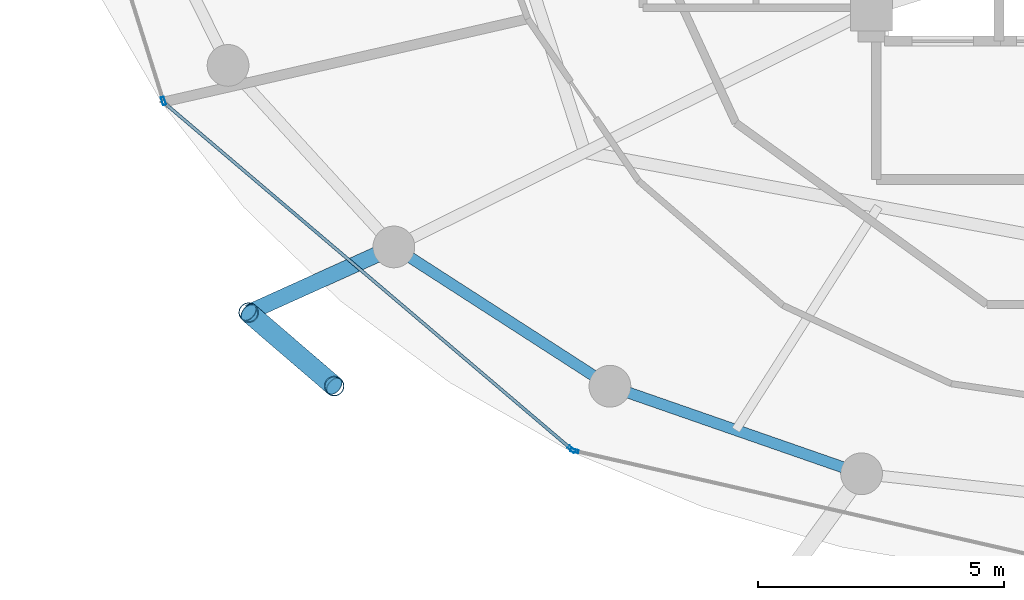
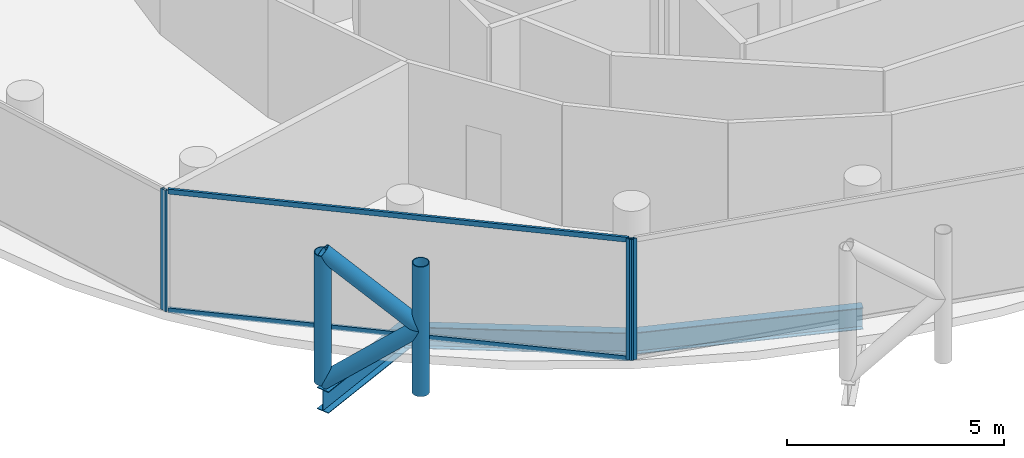
# One storey, part 2 of 27: 9 members, 3 beams, 3 elements without a shape of their own.
"""IFC4 building model written with IfcOpenShell, lengths in metres."""

from ifc_helpers import new_model, si_unit, direction, frame, origin, origin_2d, place, context, subcontext, project, spatial, hollow_rectangle, hollow_circle, i_section, extrude, material, layer, layer_set, material_profile, profile_set, type_object, element, aggregate, save


model = new_model("IFC4")

# Units and contexts
model_context = context("Model", 3, precision=1e-05, world=origin(), true_north=direction((0.0, 1.0)))
body_context = subcontext(model_context, "Body", "Model", "MODEL_VIEW")
ifc_project = project(units=[si_unit("LENGTHUNIT", "METRE"), si_unit("AREAUNIT", "SQUARE_METRE"), si_unit("VOLUMEUNIT", "CUBIC_METRE"), si_unit("PLANEANGLEUNIT", "RADIAN"), si_unit("MASSUNIT", "GRAM", prefix="KILO")], contexts=[model_context])

# Site, building, storey
site_placement = place(None, origin())
site = spatial("IfcSite", under=ifc_project, at=site_placement, CompositionType="ELEMENT")
building_placement = place(site_placement, origin())
building = spatial("IfcBuilding", under=site, at=building_placement, Name="Nuhasar Tower", CompositionType="ELEMENT")
storey_placement = place(building_placement, frame((0.0, 0.0, 208.14990234375)))
storey = spatial("IfcBuildingStorey", under=building, at=storey_placement, Name="L50", CompositionType="ELEMENT", Elevation=208.14990234375)

# Beams
ifc_material_1 = material(Name="Steel S355", Category="steel")
ifc_material_profile_1 = material_profile(ifc_material_1, i_section(OverallWidth=0.22802734375, OverallDepth=0.60791015625, WebThickness=0.01123046875, FlangeThickness=0.017333984375, at=origin_2d()), Name="W24X76")
ifc_profile_set_1 = profile_set([ifc_material_profile_1], Name="Steel S355")
beam_type_1 = type_object("IfcBeamType", Name="BM-RING-W24X76", PredefinedType="SPANDREL", material=ifc_profile_set_1)
beam_1_placement = place(storey_placement, frame((23.97412109375, 14.177978515625, -0.5439453125), z_axis=(0.840502144969, -0.541808217272, 0.0), x_axis=(0.541808217272, 0.840502144969, 0.0)))
element("IfcBeam", 1, at=beam_1_placement, inside=storey, type_object=beam_type_1, Name="L50 Perimeter Ring Spandrel 16", PredefinedType="SPANDREL", context=body_context, shape_type="SweptSolid", body=[
    extrude(i_section(OverallWidth=0.22802734375, OverallDepth=0.60791015625, WebThickness=0.01123046875, FlangeThickness=0.017333984375, at=origin_2d()), origin(), (0.0, 0.0, 1.0), 5.236083984375),
])
beam_2_placement = place(storey_placement, frame((28.375, 11.341064453125, -0.5439453125), z_axis=(0.944476764686, -0.328578211342, 0.0), x_axis=(0.328578211342, 0.944476764686, 0.0)))
element("IfcBeam", 2, at=beam_2_placement, inside=storey, type_object=beam_type_1, Name="L50 Perimeter Ring Spandrel 17", PredefinedType="SPANDREL", context=body_context, shape_type="SweptSolid", body=[
    extrude(i_section(OverallWidth=0.22802734375, OverallDepth=0.60791015625, WebThickness=0.01123046875, FlangeThickness=0.017333984375, at=origin_2d()), origin(), (0.0, 0.0, 1.0), 5.42626953125),
])
ifc_material_profile_2 = material_profile(ifc_material_1, i_section(OverallWidth=0.323974609375, OverallDepth=0.611083984375, WebThickness=0.0126953125, FlangeThickness=0.01904296875, at=origin_2d()), Name="W24X104")
ifc_profile_set_2 = profile_set([ifc_material_profile_2], Name="Steel S355")
beam_type_2 = type_object("IfcBeamType", Name="BM-TIE-W24X104", PredefinedType="BEAM", material=ifc_profile_set_2)
beam_3_placement = place(storey_placement, frame((23.97412109375, 14.177978515625, -0.544921875), z_axis=(-0.911363318082, -0.411602845538, 0.0), x_axis=(0.411602845538, -0.911363318082, 0.0)))
element("IfcBeam", 3, at=beam_3_placement, inside=storey, type_object=beam_type_2, Name="L50 Exoskeleton Node Tie Beam 08", PredefinedType="BEAM", context=body_context, shape_type="SweptSolid", body=[
    extrude(i_section(OverallWidth=0.323974609375, OverallDepth=0.611083984375, WebThickness=0.0126953125, FlangeThickness=0.01904296875, at=origin_2d()), origin(), (0.0, 0.0, 1.0), 3.24560546875),
])

# Curtain wall, member
ifc_material_2 = material(Name="Aluminium 6063-T6", Category="aluminium")
ifc_layer = layer(ifc_material_2, 0.18994140625)
ifc_layer_set = layer_set([ifc_layer], Name="Aluminium 6063-T6")
curtain_wall_type = type_object("IfcCurtainWallType", Name="CW-Z3-RES", PredefinedType="NOTDEFINED", material=ifc_layer_set)
curtain_wall_1_placement = place(storey_placement, origin())
curtain_wall_1 = element("IfcCurtainWall", 4, at=curtain_wall_1_placement, inside=storey, type_object=curtain_wall_type, Name="L50 Unitised Curtain Wall 07", PredefinedType="NOTDEFINED")
ifc_material_profile_3 = material_profile(ifc_material_2, hollow_rectangle(XDim=0.06494140625, YDim=0.169921875, WallThickness=0.0048828125, at=origin_2d()), Name="CWM-4")
ifc_profile_set_3 = profile_set([ifc_material_profile_3], Name="Aluminium 6063-T6")
member_type_1 = type_object("IfcMemberType", Name="CW-MUL-S4", PredefinedType="MULLION", material=ifc_profile_set_3)
member_1_placement = place(storey_placement, frame((19.279296875, 17.15087890625, 0.0), z_axis=(0.0, 0.0, 1.0), x_axis=(0.95380429279, 0.30042864553, 0.0)))
member_1 = element("IfcMember", 5, at=member_1_placement, type_object=member_type_1, Name="CW-Z3 mullion 2", PredefinedType="MULLION", context=body_context, shape_type="SweptSolid", body=[
    extrude(hollow_rectangle(XDim=0.06494140625, YDim=0.169921875, WallThickness=0.0048828125, at=origin_2d()), origin(), (0.0, 0.0, 1.0), 3.41015625),
])
aggregate(curtain_wall_1, [member_1])

curtain_wall_2_placement = place(storey_placement, origin())
curtain_wall_2 = element("IfcCurtainWall", 6, at=curtain_wall_2_placement, inside=storey, type_object=curtain_wall_type, Name="L50 Unitised Curtain Wall 08", PredefinedType="NOTDEFINED")
member_2_placement = place(storey_placement, frame((27.59521484375, 10.05517578125, 0.0), z_axis=(0.0, 0.0, 1.0), x_axis=(0.64789521578, 0.761729472562, 0.0)))
member_2 = element("IfcMember", 7, at=member_2_placement, type_object=member_type_1, Name="CW-Z3 mullion 2", PredefinedType="MULLION", context=body_context, shape_type="SweptSolid", body=[
    extrude(hollow_rectangle(XDim=0.06494140625, YDim=0.169921875, WallThickness=0.0048828125, at=origin_2d()), origin(), (0.0, 0.0, 1.0), 3.41015625),
])

curtain_wall_3_placement = place(storey_placement, origin())
curtain_wall_3 = element("IfcCurtainWall", 8, at=curtain_wall_3_placement, inside=storey, type_object=curtain_wall_type, Name="L50 Unitised Curtain Wall 09", PredefinedType="NOTDEFINED")
member_3_placement = place(storey_placement, frame((27.651611328125, 10.02685546875, 0.0), z_axis=(0.0, 0.0, 1.0), x_axis=(0.222243176313, 0.974991266926, 0.0)))
member_3 = element("IfcMember", 9, at=member_3_placement, type_object=member_type_1, Name="CW-Z3 mullion 1", PredefinedType="MULLION", context=body_context, shape_type="SweptSolid", body=[
    extrude(hollow_rectangle(XDim=0.06494140625, YDim=0.169921875, WallThickness=0.0048828125, at=origin_2d()), origin(), (0.0, 0.0, 1.0), 3.41015625),
])
aggregate(curtain_wall_3, [member_3])

# Member
ifc_material_profile_4 = material_profile(ifc_material_2, hollow_rectangle(XDim=0.06494140625, YDim=0.139892578125, WallThickness=0.00439453125, at=origin_2d()), Name="CWT-4")
ifc_profile_set_4 = profile_set([ifc_material_profile_4], Name="Aluminium 6063-T6")
member_type_2 = type_object("IfcMemberType", Name="CW-TRN-S4", PredefinedType="USERDEFINED", material=ifc_profile_set_4)
member_4_placement = place(storey_placement, frame((19.338623046875, 17.077880859375, 0.03271484375), z_axis=(0.761730809511, -0.647893643928, 0.0), x_axis=(0.647893643928, 0.761730809511, 0.0)))
member_4 = element("IfcMember", 10, at=member_4_placement, type_object=member_type_2, Name="CW-Z3 transom 1.1", ObjectType="TRANSOM", PredefinedType="USERDEFINED", context=body_context, shape_type="SweptSolid", body=[
    extrude(hollow_rectangle(XDim=0.06494140625, YDim=0.139892578125, WallThickness=0.00439453125, at=origin_2d()), origin(), (0.0, 0.0, 1.0), 10.806884765625),
])

member_5_placement = place(storey_placement, frame((19.338623046875, 17.077880859375, 3.377685546875), z_axis=(0.761730809511, -0.647893643928, 0.0), x_axis=(0.647893643928, 0.761730809511, 0.0)))
member_5 = element("IfcMember", 11, at=member_5_placement, type_object=member_type_2, Name="CW-Z3 transom 1.2", ObjectType="TRANSOM", PredefinedType="USERDEFINED", context=body_context, shape_type="SweptSolid", body=[
    extrude(hollow_rectangle(XDim=0.06494140625, YDim=0.139892578125, WallThickness=0.00439453125, at=origin_2d()), origin(), (0.0, 0.0, 1.0), 10.806884765625),
])

aggregate(curtain_wall_2, [member_2, member_4, member_5])

# Members
ifc_material_3 = material(Name="Steel S460", Category="steel")
ifc_material_profile_5 = material_profile(ifc_material_3, hollow_circle(Radius=0.203125, WallThickness=0.01904296875, at=origin_2d()), Name="HSS406.4X19.1")
ifc_profile_set_5 = profile_set([ifc_material_profile_5], Name="Steel S460")
member_type_3 = type_object("IfcMemberType", Name="EXO-BRONZE-406", PredefinedType="BRACE", material=ifc_profile_set_5)
for number, where, z_axis, x_axis, name in (
    (12, (21.01611328125, 12.842041015625, 0.0), (0.0, 0.0, 1.0), (1.0, 0.0, 0.0), "L50 Exoskeleton Chord Column EC-08A"),
    (13, (22.760009765625, 11.343017578125, 0.0), (0.0, 0.0, 1.0), (1.0, 0.0, 0.0), "L50 Exoskeleton Chord Column EC-08B"),
):
    element("IfcMember", number, at=place(storey_placement, frame(where, z_axis=z_axis, x_axis=x_axis)), inside=storey, type_object=member_type_3, Name=name, PredefinedType="BRACE", context=body_context, shape_type="SweptSolid", body=[
        extrude(hollow_circle(Radius=0.203125, WallThickness=0.01904296875, at=origin_2d()), origin(), (0.0, 0.0, 1.0), 3.650146484375),
    ])
for number, where, z_axis, x_axis, name in (
    (14, (21.01611328125, 12.842041015625, 0.0), (0.593987827832, -0.51058172517, 0.621678986543), (0.65185738425, 0.758341579104, 0.0), "L50 Bronze Diagrid Brace W1-08"),
    (15, (22.760009765625, 11.343017578125, 1.8251953125), (-0.594018535389, 0.510608120858, 0.621627964725), (-0.65185738425, -0.758341579104, 0.0), "L50 Bronze Diagrid Brace W2-08"),
):
    element("IfcMember", number, at=place(storey_placement, frame(where, z_axis=z_axis, x_axis=x_axis)), inside=storey, type_object=member_type_3, Name=name, PredefinedType="BRACE", context=body_context, shape_type="SweptSolid", body=[
        extrude(hollow_circle(Radius=0.203125, WallThickness=0.01904296875, at=origin_2d()), origin(), (0.0, 0.0, 1.0), 2.935791015625),
    ])

save(model, "model.ifc")
